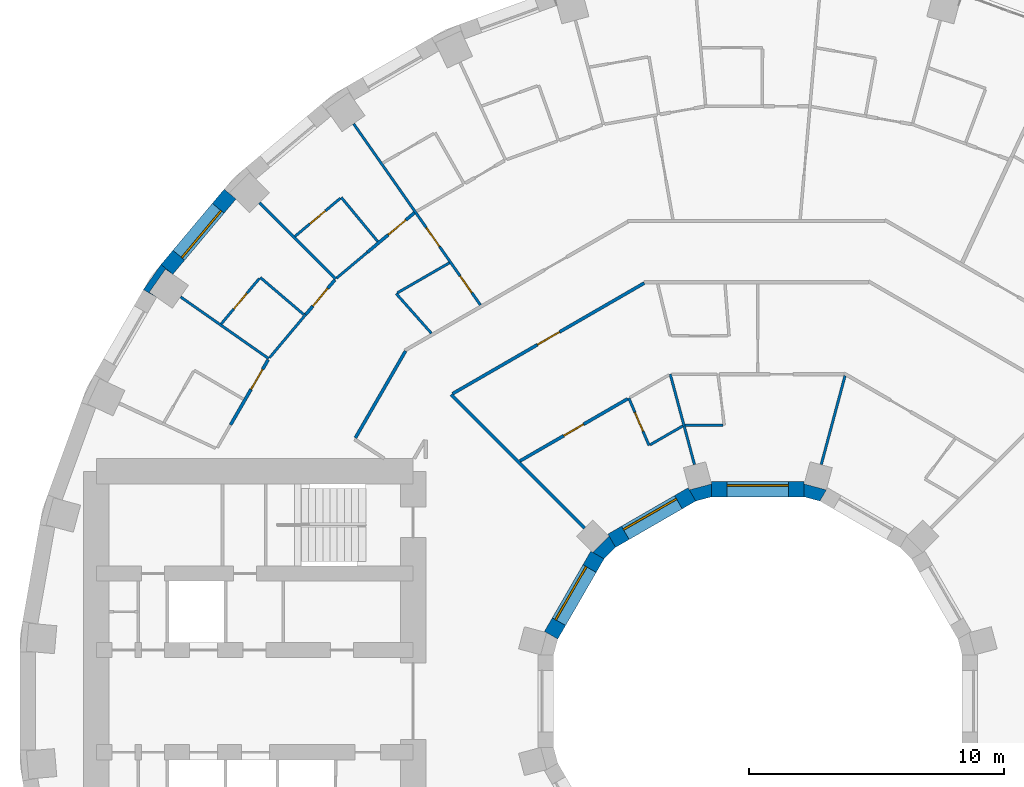
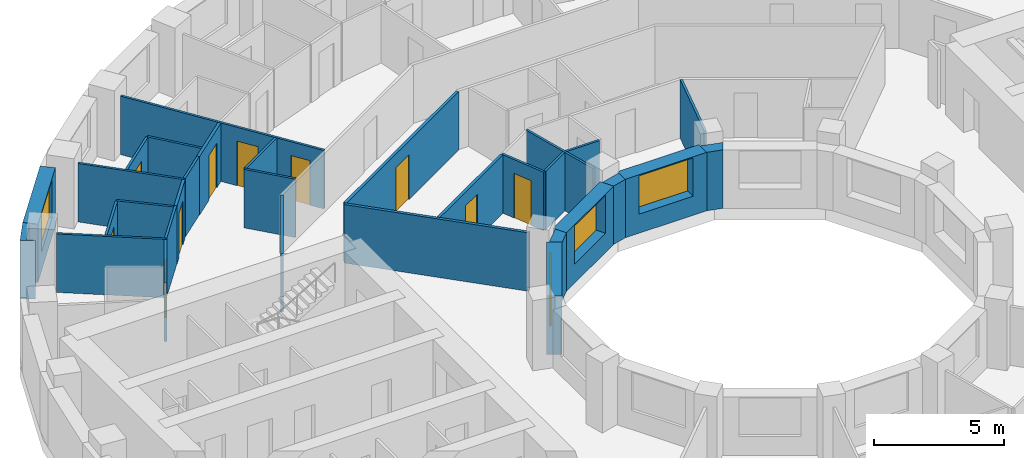
# One storey, part 10 of 15: 31 walls, 10 doors, 4 windows, 14 openings.
"""IFC4 building model written with IfcOpenShell, lengths in metres."""

from ifc_helpers import new_model, si_unit, direction, frame, frame_2d, origin, place, context, subcontext, project, spatial, polyline, rectangle, outline, extrude, material, layer, layer_set, type_object, element, fill, save


model = new_model("IFC4")

# Units and contexts
model_context = context("Model", 3, precision=1e-05, world=origin(), true_north=direction((0.0, 1.0)))
body_context = subcontext(model_context, "Body", "Model", "MODEL_VIEW")
ifc_project = project(units=[si_unit("LENGTHUNIT", "METRE"), si_unit("AREAUNIT", "SQUARE_METRE"), si_unit("VOLUMEUNIT", "CUBIC_METRE"), si_unit("PLANEANGLEUNIT", "RADIAN"), si_unit("MASSUNIT", "GRAM", prefix="KILO")], contexts=[model_context])

# Site, building, storey
site_placement = place(None, origin())
site = spatial("IfcSite", under=ifc_project, at=site_placement, CompositionType="ELEMENT")
building_placement = place(site_placement, origin())
building = spatial("IfcBuilding", under=site, at=building_placement, Name="Saqina Gate Tower", CompositionType="ELEMENT")
storey_placement = place(building_placement, frame((0.0, 0.0, 65.89990234375)))
storey = spatial("IfcBuildingStorey", under=building, at=storey_placement, Name="L18", CompositionType="ELEMENT", Elevation=65.89990234375)

# Wall
ifc_material_1 = material(Name="Brick masonry (red)", Category="masonry")
wall_type_1 = type_object("IfcWallType", Name="BRICK PIER COPING RED", PredefinedType="SOLIDWALL", material=ifc_material_1)
wall_1_placement = place(storey_placement, origin())
element("IfcWall", 1, at=wall_1_placement, inside=storey, type_object=wall_type_1, Name="Pier cap L18 column 15", PredefinedType="SOLIDWALL", context=body_context, shape_type="SweptSolid", body=[
    extrude(outline(polyline([(-23.36669921875, 17.096923828125), (-24.0576171875, 16.110107421875), (-23.5380859375, 15.81005859375), (-23.8251953125, 16.010986328125), (-23.194091796875, 16.912109375), (-22.9072265625, 16.711181640625), (-23.36669921875, 17.096923828125)])), origin(), (0.0, 0.0, 1.0), 2.75),
])

# Wall, opening, window
ifc_material_2 = material(Name="Brick masonry (red)", Category="masonry")
ifc_layer_1 = layer(ifc_material_2, 0.60009765625)
ifc_layer_set_1 = layer_set([ifc_layer_1], Name="FW-BRICK-RED")
wall_type_2 = type_object("IfcWallType", Name="FW-BRICK-RED", PredefinedType="SOLIDWALL", material=ifc_layer_set_1)
wall_2_placement = place(storey_placement, frame((-20.664794921875, 19.85009765625, 0.0), z_axis=(0.0, 0.0, 1.0), x_axis=(-0.642809392687, -0.766026164483, 0.0)))
wall_2 = element("IfcWall", 2, at=wall_2_placement, inside=storey, type_object=wall_type_2, Name="Facade wall L18 facet 14", PredefinedType="SOLIDWALL", context=body_context, shape_type="SweptSolid", body=[
    extrude(rectangle(XDim=3.845947265625, YDim=0.60009765625, at=frame_2d((1.9228515625, 0.0))), origin(), (0.0, 0.0, 1.0), 2.75),
])
opening_1_placement = place(wall_2_placement, frame((0.722900390625, 0.0, 0.89990234375)))
opening_1 = element("IfcOpeningElement", 3, at=opening_1_placement, cuts=wall_2, Name="Opening G05-W08", PredefinedType="OPENING", context=body_context, shape_type="SweptSolid", body=[
    extrude(rectangle(XDim=2.39990234375, YDim=1.800048828125, at=frame_2d((1.199951171875, 0.89990234375))), frame((0.0, 0.31201171875, 0.0), z_axis=(0.0, -1.0, 0.0), x_axis=(1.0, 0.0, 0.0)), (0.0, 0.0, 1.0), 0.6240234375),
])
ifc_material_3 = material(Name="Aluminium glazing", Category="aluminium")
window_type_1 = type_object("IfcWindowType", Name="WN-A", PartitioningType="SINGLE_PANEL", PredefinedType="WINDOW", material=ifc_material_3)
window_1_placement = place(opening_1_placement, origin())
window_1 = element("IfcWindow", 4, at=window_1_placement, inside=storey, type_object=window_type_1, Name="Window L18 facet 14", OverallHeight=1.800048828125, OverallWidth=2.39990234375, PartitioningType="SINGLE_PANEL", PredefinedType="WINDOW", context=body_context, shape_type="SweptSolid", body=[
    extrude(rectangle(XDim=2.39990234375, YDim=1.800048828125, at=frame_2d((1.199951171875, 0.89990234375))), frame((0.0, 0.179931640625, 0.0), z_axis=(0.0, -1.0, 0.0), x_axis=(1.0, 0.0, 0.0)), (0.0, 0.0, 1.0), 0.06005859375),
])
fill(opening_1, window_1)

ifc_material_4 = material(Name="Glazed ceramic tile", Category="ceramic")
ifc_layer_2 = layer(ifc_material_4, 0.60009765625)
ifc_layer_set_2 = layer_set([ifc_layer_2], Name="IW-TILE")
wall_type_3 = type_object("IfcWallType", Name="IW-TILE", PredefinedType="SOLIDWALL", material=ifc_layer_set_2)
wall_3_placement = place(storey_placement, frame((1.8125, 8.300048828125, 0.0), z_axis=(0.0, 0.0, 1.0), x_axis=(-1.0, 0.0, 0.0)))
wall_3 = element("IfcWall", 5, at=wall_3_placement, inside=storey, type_object=wall_type_3, Name="Well wall L18 facet 3", PredefinedType="SOLIDWALL", context=body_context, shape_type="SweptSolid", body=[
    extrude(rectangle(XDim=3.625, YDim=0.60009765625, at=frame_2d((1.8125, 0.0))), origin(), (0.0, 0.0, 1.0), 2.75),
])
opening_2_placement = place(wall_3_placement, frame((0.612548828125, 0.0, 0.89990234375)))
opening_2 = element("IfcOpeningElement", 6, at=opening_2_placement, cuts=wall_3, Name="Opening G05-W25", PredefinedType="OPENING", context=body_context, shape_type="SweptSolid", body=[
    extrude(rectangle(XDim=2.39990234375, YDim=1.800048828125, at=frame_2d((1.199951171875, 0.89990234375))), frame((0.0, 0.31201171875, 0.0), z_axis=(0.0, -1.0, 0.0), x_axis=(1.0, 0.0, 0.0)), (0.0, 0.0, 1.0), 0.6240234375),
])
ifc_material_5 = material(Name="Aluminium glazing", Category="aluminium")
window_type_2 = type_object("IfcWindowType", Name="WN-W", PartitioningType="SINGLE_PANEL", PredefinedType="WINDOW", material=ifc_material_5)
window_2_placement = place(opening_2_placement, origin())
window_2 = element("IfcWindow", 7, at=window_2_placement, inside=storey, type_object=window_type_2, Name="Well window L18 facet 3", OverallHeight=1.800048828125, OverallWidth=2.39990234375, PartitioningType="SINGLE_PANEL", PredefinedType="WINDOW", context=body_context, shape_type="SweptSolid", body=[
    extrude(rectangle(XDim=2.39990234375, YDim=1.800048828125, at=frame_2d((1.199951171875, 0.89990234375))), frame((0.0, -0.119873046875, 0.0), z_axis=(0.0, -1.0, 0.0), x_axis=(1.0, 0.0, 0.0)), (0.0, 0.0, 1.0), 0.06005859375),
])
fill(opening_2, window_2)

wall_4_placement = place(storey_placement, frame((-2.580322265625, 8.09423828125, 0.0), z_axis=(0.0, 0.0, 1.0), x_axis=(-0.866029693906, -0.499992569217, 0.0)))
wall_4 = element("IfcWall", 8, at=wall_4_placement, inside=storey, type_object=wall_type_3, Name="Well wall L18 facet 4", PredefinedType="SOLIDWALL", context=body_context, shape_type="SweptSolid", body=[
    extrude(rectangle(XDim=3.625, YDim=0.60009765625, at=frame_2d((1.8125, 0.0))), origin(), (0.0, 0.0, 1.0), 2.75),
])
opening_3_placement = place(wall_4_placement, frame((0.612548828125, 0.0, 0.89990234375)))
opening_3 = element("IfcOpeningElement", 9, at=opening_3_placement, cuts=wall_4, Name="Opening G05-W26", PredefinedType="OPENING", context=body_context, shape_type="SweptSolid", body=[
    extrude(rectangle(XDim=2.39990234375, YDim=1.800048828125, at=frame_2d((1.199951171875, 0.89990234375))), frame((0.0, 0.31201171875, 0.0), z_axis=(0.0, -1.0, 0.0), x_axis=(1.0, 0.0, 0.0)), (0.0, 0.0, 1.0), 0.6240234375),
])
window_3_placement = place(opening_3_placement, origin())
window_3 = element("IfcWindow", 10, at=window_3_placement, inside=storey, type_object=window_type_2, Name="Well window L18 facet 4", OverallHeight=1.800048828125, OverallWidth=2.39990234375, PartitioningType="SINGLE_PANEL", PredefinedType="WINDOW", context=body_context, shape_type="SweptSolid", body=[
    extrude(rectangle(XDim=2.39990234375, YDim=1.800048828125, at=frame_2d((1.199951171875, 0.89990234375))), frame((0.0, -0.119873046875, 0.0), z_axis=(0.0, -1.0, 0.0), x_axis=(1.0, 0.0, 0.0)), (0.0, 0.0, 1.0), 0.06005859375),
])
fill(opening_3, window_3)

wall_5_placement = place(storey_placement, frame((-6.28173828125, 5.7197265625, 0.0), z_axis=(0.0, 0.0, 1.0), x_axis=(-0.499992569217, -0.866029693906, 0.0)))
wall_5 = element("IfcWall", 11, at=wall_5_placement, inside=storey, type_object=wall_type_3, Name="Well wall L18 facet 5", PredefinedType="SOLIDWALL", context=body_context, shape_type="SweptSolid", body=[
    extrude(rectangle(XDim=3.625, YDim=0.60009765625, at=frame_2d((1.8125, 0.0))), origin(), (0.0, 0.0, 1.0), 2.75),
])
opening_4_placement = place(wall_5_placement, frame((0.612548828125, 0.0, 0.89990234375)))
opening_4 = element("IfcOpeningElement", 12, at=opening_4_placement, cuts=wall_5, Name="Opening G05-W27", PredefinedType="OPENING", context=body_context, shape_type="SweptSolid", body=[
    extrude(rectangle(XDim=2.39990234375, YDim=1.800048828125, at=frame_2d((1.199951171875, 0.89990234375))), frame((0.0, 0.31201171875, 0.0), z_axis=(0.0, -1.0, 0.0), x_axis=(1.0, 0.0, 0.0)), (0.0, 0.0, 1.0), 0.6240234375),
])
window_4_placement = place(opening_4_placement, origin())
window_4 = element("IfcWindow", 13, at=window_4_placement, inside=storey, type_object=window_type_2, Name="Well window L18 facet 5", OverallHeight=1.800048828125, OverallWidth=2.39990234375, PartitioningType="SINGLE_PANEL", PredefinedType="WINDOW", context=body_context, shape_type="SweptSolid", body=[
    extrude(rectangle(XDim=2.39990234375, YDim=1.800048828125, at=frame_2d((1.199951171875, 0.89990234375))), frame((0.0, -0.119873046875, 0.0), z_axis=(0.0, -1.0, 0.0), x_axis=(1.0, 0.0, 0.0)), (0.0, 0.0, 1.0), 0.06005859375),
])
fill(opening_4, window_4)

# Wall
ifc_material_6 = material(Name="Gypsum board on steel studs, 100 mm", Category="steel")
ifc_layer_3 = layer(ifc_material_6, 0.10009765625)
ifc_layer_set_3 = layer_set([ifc_layer_3], Name="PARTITION 100")
wall_type_4 = type_object("IfcWallType", Name="PARTITION 100", PredefinedType="PARTITIONING", material=ifc_layer_set_3)
wall_6_placement = place(storey_placement, frame((-3.429931640625, 12.800048828125, 0.0), z_axis=(0.0, 0.0, 1.0), x_axis=(0.258858359558, -0.965915291155, 0.0)))
element("IfcWall", 14, at=wall_6_placement, inside=storey, type_object=wall_type_4, Name="PARTITION PW3-13", PredefinedType="PARTITIONING", context=body_context, shape_type="SweptSolid", body=[
    extrude(rectangle(XDim=3.659423828125, YDim=0.10009765625, at=frame_2d((1.82958984375, 0.0))), origin(), (0.0, 0.0, 1.0), 2.75),
])

# Wall, opening, door
wall_7_placement = place(storey_placement, frame((-5.050048828125, 11.864013671875, 0.0), z_axis=(0.0, 0.0, 1.0), x_axis=(0.391782259177, -0.920057966323, 0.0)))
wall_7 = element("IfcWall", 15, at=wall_7_placement, inside=storey, type_object=wall_type_4, Name="PARTITION PW3-18", PredefinedType="PARTITIONING", context=body_context, shape_type="SweptSolid", body=[
    extrude(rectangle(XDim=2.013916015625, YDim=0.10009765625, at=frame_2d((1.0068359375, 0.0))), origin(), (0.0, 0.0, 1.0), 2.75),
])
opening_5_placement = place(wall_7_placement, frame((0.60693359375, 0.0, 0.0)))
opening_5 = element("IfcOpeningElement", 16, at=opening_5_placement, cuts=wall_7, Name="Opening G05-D22", PredefinedType="OPENING", context=body_context, shape_type="SweptSolid", body=[
    extrude(rectangle(XDim=0.800048828125, YDim=2.10009765625, at=frame_2d((0.39990234375, 1.050048828125))), frame((0.0, 0.06201171875, 0.0), z_axis=(0.0, -1.0, 0.0), x_axis=(1.0, 0.0, 0.0)), (0.0, 0.0, 1.0), 0.1240234375),
])
ifc_material_7 = material(Name="Timber door leaf, 800 mm", Category="wood")
door_type_1 = type_object("IfcDoorType", Name="DOOR 800 TIMBER", OperationType="SINGLE_SWING_LEFT", PredefinedType="DOOR", material=ifc_material_7)
door_1_placement = place(opening_5_placement, frame((0.800048828125, 0.0, 0.0), z_axis=(0.0, 0.0, 1.0), x_axis=(-1.0, 0.0, 0.0)))
door_1 = element("IfcDoor", 17, at=door_1_placement, inside=storey, type_object=door_type_1, Name="DOOR G05-D22", OperationType="SINGLE_SWING_RIGHT", OverallHeight=2.10009765625, OverallWidth=0.800048828125, PredefinedType="DOOR", context=body_context, shape_type="SweptSolid", body=[
    extrude(rectangle(XDim=0.800048828125, YDim=2.10009765625, at=frame_2d((0.39990234375, 1.050048828125))), frame((0.0, 0.02490234375, 0.0), z_axis=(0.0, -1.0, 0.0), x_axis=(1.0, 0.0, 0.0)), (0.0, 0.0, 1.0), 0.050048828125),
])
fill(opening_5, door_1)

# Wall, openings, doors
wall_8_placement = place(storey_placement, frame((-15.82470703125, 22.6005859375, 0.0), z_axis=(0.0, 0.0, 1.0), x_axis=(0.57339608395, -0.819278298816, 0.0)))
wall_8 = element("IfcWall", 18, at=wall_8_placement, inside=storey, type_object=wall_type_4, Name="PARTITION PW3-24", PredefinedType="PARTITIONING", context=body_context, shape_type="SweptSolid", body=[
    extrude(rectangle(XDim=8.6552734375, YDim=0.10009765625, at=frame_2d((4.32763671875, 0.0))), origin(), (0.0, 0.0, 1.0), 2.75),
])
opening_6_placement = place(wall_8_placement, frame((7.263671875, 0.0, 0.0)))
opening_6 = element("IfcOpeningElement", 19, at=opening_6_placement, cuts=wall_8, Name="Opening G05-D28", PredefinedType="OPENING", context=body_context, shape_type="SweptSolid", body=[
    extrude(rectangle(XDim=0.800048828125, YDim=2.10009765625, at=frame_2d((0.39990234375, 1.050048828125))), frame((0.0, 0.06201171875, 0.0), z_axis=(0.0, -1.0, 0.0), x_axis=(1.0, 0.0, 0.0)), (0.0, 0.0, 1.0), 0.1240234375),
])
opening_7_placement = place(wall_8_placement, frame((4.96044921875, 0.0, 0.0)))
opening_7 = element("IfcOpeningElement", 20, at=opening_7_placement, cuts=wall_8, Name="Opening G05-D29", PredefinedType="OPENING", context=body_context, shape_type="SweptSolid", body=[
    extrude(rectangle(XDim=0.89990234375, YDim=2.10009765625, at=frame_2d((0.449951171875, 1.050048828125))), frame((0.0, 0.06201171875, 0.0), z_axis=(0.0, -1.0, 0.0), x_axis=(1.0, 0.0, 0.0)), (0.0, 0.0, 1.0), 0.1240234375),
])
door_2_placement = place(opening_6_placement, origin())
door_2 = element("IfcDoor", 21, at=door_2_placement, inside=storey, type_object=door_type_1, Name="DOOR G05-D28", OperationType="SINGLE_SWING_RIGHT", OverallHeight=2.10009765625, OverallWidth=0.800048828125, PredefinedType="DOOR", context=body_context, shape_type="SweptSolid", body=[
    extrude(rectangle(XDim=0.800048828125, YDim=2.10009765625, at=frame_2d((0.39990234375, 1.050048828125))), frame((0.0, 0.02490234375, 0.0), z_axis=(0.0, -1.0, 0.0), x_axis=(1.0, 0.0, 0.0)), (0.0, 0.0, 1.0), 0.050048828125),
])
fill(opening_6, door_2)
ifc_material_8 = material(Name="Timber door leaf, 900 mm", Category="wood")
door_type_2 = type_object("IfcDoorType", Name="DOOR 900 TIMBER", OperationType="SINGLE_SWING_LEFT", PredefinedType="DOOR", material=ifc_material_8)
door_3_placement = place(opening_7_placement, frame((0.89990234375, 0.0, 0.0), z_axis=(0.0, 0.0, 1.0), x_axis=(-1.0, 0.0, 0.0)))
door_3 = element("IfcDoor", 22, at=door_3_placement, inside=storey, type_object=door_type_2, Name="DOOR G05-D29", OperationType="SINGLE_SWING_LEFT", OverallHeight=2.10009765625, OverallWidth=0.89990234375, PredefinedType="DOOR", context=body_context, shape_type="SweptSolid", body=[
    extrude(rectangle(XDim=0.89990234375, YDim=2.10009765625, at=frame_2d((0.449951171875, 1.050048828125))), frame((0.0, 0.02490234375, 0.0), z_axis=(0.0, -1.0, 0.0), x_axis=(1.0, 0.0, 0.0)), (0.0, 0.0, 1.0), 0.050048828125),
])
fill(opening_7, door_3)

# Walls
wall_9_placement = place(storey_placement, frame((-16.30810546875, 19.720947265625, 0.0), z_axis=(0.0, 0.0, 1.0), x_axis=(0.637464982276, -0.770479328971, 0.0)))
element("IfcWall", 23, at=wall_9_placement, inside=storey, type_object=wall_type_4, Name="PARTITION PW3-28", PredefinedType="PARTITIONING", context=body_context, shape_type="SweptSolid", body=[
    extrude(rectangle(XDim=2.2373046875, YDim=0.10009765625, at=frame_2d((1.11865234375, 0.0))), origin(), (0.0, 0.0, 1.0), 2.75),
])
wall_10_placement = place(storey_placement, frame((-14.162109375, 15.95703125, 0.0), z_axis=(0.0, 0.0, 1.0), x_axis=(0.663919519931, -0.747804032521, 0.0)))
element("IfcWall", 24, at=wall_10_placement, inside=storey, type_object=wall_type_4, Name="PARTITION PW3-30", PredefinedType="PARTITIONING", context=body_context, shape_type="SweptSolid", body=[
    extrude(rectangle(XDim=2.0810546875, YDim=0.10009765625, at=frame_2d((1.04052734375, 0.0))), origin(), (0.0, 0.0, 1.0), 2.75),
])
wall_11_placement = place(storey_placement, frame((-19.509033203125, 19.509033203125, 0.0), z_axis=(0.0, 0.0, 1.0), x_axis=(0.707106781187, -0.707106781187, 0.0)))
element("IfcWall", 25, at=wall_11_placement, inside=storey, type_object=wall_type_4, Name="PARTITION PW3-31", PredefinedType="PARTITIONING", context=body_context, shape_type="SweptSolid", body=[
    extrude(rectangle(XDim=4.211669921875, YDim=0.10009765625, at=frame_2d((2.10595703125, 0.0))), origin(), (0.0, 0.0, 1.0), 2.75),
])
wall_12_placement = place(storey_placement, frame((-19.48388671875, 16.590087890625, 0.0), z_axis=(0.0, 0.0, 1.0), x_axis=(0.761325032224, -0.648370415201, 0.0)))
element("IfcWall", 26, at=wall_12_placement, inside=storey, type_object=wall_type_4, Name="PARTITION PW3-34", PredefinedType="PARTITIONING", context=body_context, shape_type="SweptSolid", body=[
    extrude(rectangle(XDim=2.237060546875, YDim=0.10009765625, at=frame_2d((1.11865234375, 0.0))), origin(), (0.0, 0.0, 1.0), 2.75),
])
wall_13_placement = place(storey_placement, frame((-22.599853515625, 15.82568359375, 0.0), z_axis=(0.0, 0.0, 1.0), x_axis=(0.818956755678, -0.573855236388, 0.0)))
element("IfcWall", 27, at=wall_13_placement, inside=storey, type_object=wall_type_4, Name="PARTITION PW3-39", PredefinedType="PARTITIONING", context=body_context, shape_type="SweptSolid", body=[
    extrude(rectangle(XDim=4.21142578125, YDim=0.10009765625, at=frame_2d((2.105712890625, 0.0))), origin(), (0.0, 0.0, 1.0), 2.75),
])
wall_14_placement = place(storey_placement, frame((-2.843994140625, 10.800048828125, 0.0), z_axis=(0.0, 0.0, 1.0), x_axis=(1.0, 0.0, 0.0)))
element("IfcWall", 28, at=wall_14_placement, inside=storey, type_object=wall_type_4, Name="PARTITION PW3-62", PredefinedType="PARTITIONING", context=body_context, shape_type="SweptSolid", body=[
    extrude(rectangle(XDim=1.47900390625, YDim=0.10009765625, at=frame_2d((0.739501953125, 0.0))), origin(), (0.0, 0.0, 1.0), 2.75),
])
wall_15_placement = place(storey_placement, frame((-4.2177734375, 10.035888671875, 0.0), z_axis=(0.0, 0.0, 1.0), x_axis=(0.866111350081, 0.499851107092, 0.0)))
element("IfcWall", 29, at=wall_15_placement, inside=storey, type_object=wall_type_4, Name="PARTITION PW3-78", PredefinedType="PARTITIONING", context=body_context, shape_type="SweptSolid", body=[
    extrude(rectangle(XDim=1.478515625, YDim=0.10009765625, at=frame_2d((0.7392578125, 0.0))), origin(), (0.0, 0.0, 1.0), 2.75),
])
wall_16_placement = place(storey_placement, frame((-14.11865234375, 15.98193359375, 0.0), z_axis=(0.0, 0.0, 1.0), x_axis=(0.865945816379, 0.5001378241, 0.0)))
element("IfcWall", 30, at=wall_16_placement, inside=storey, type_object=wall_type_4, Name="PARTITION PW3-80", PredefinedType="PARTITIONING", context=body_context, shape_type="SweptSolid", body=[
    extrude(rectangle(XDim=2.357177734375, YDim=0.10009765625, at=frame_2d((1.1787109375, 0.0))), origin(), (0.0, 0.0, 1.0), 2.75),
])
wall_17_placement = place(storey_placement, frame((-16.49267578125, 16.563232421875, 0.0), z_axis=(0.0, 0.0, 1.0), x_axis=(0.765882590802, 0.642980448463, 0.0)))
element("IfcWall", 31, at=wall_17_placement, inside=storey, type_object=wall_type_4, Name="PARTITION PW3-85", PredefinedType="PARTITIONING", context=body_context, shape_type="SweptSolid", body=[
    extrude(rectangle(XDim=1.5693359375, YDim=0.10009765625, at=frame_2d((0.78466796875, 0.0))), origin(), (0.0, 0.0, 1.0), 2.75),
])

# Wall, opening, door
wall_18_placement = place(storey_placement, frame((-18.125732421875, 18.196044921875, 0.0), z_axis=(0.0, 0.0, 1.0), x_axis=(0.766106399864, 0.642713765286, 0.0)))
wall_18 = element("IfcWall", 32, at=wall_18_placement, inside=storey, type_object=wall_type_4, Name="PARTITION PW3-86", PredefinedType="PARTITIONING", context=body_context, shape_type="SweptSolid", body=[
    extrude(rectangle(XDim=2.32275390625, YDim=0.10009765625, at=frame_2d((1.161376953125, 0.0))), origin(), (0.0, 0.0, 1.0), 2.75),
])
opening_8_placement = place(wall_18_placement, frame((0.76123046875, 0.0, 0.0)))
opening_8 = element("IfcOpeningElement", 33, at=opening_8_placement, cuts=wall_18, Name="Opening G05-D31", PredefinedType="OPENING", context=body_context, shape_type="SweptSolid", body=[
    extrude(rectangle(XDim=0.800048828125, YDim=2.10009765625, at=frame_2d((0.39990234375, 1.050048828125))), frame((0.0, 0.06201171875, 0.0), z_axis=(0.0, -1.0, 0.0), x_axis=(1.0, 0.0, 0.0)), (0.0, 0.0, 1.0), 0.1240234375),
])
door_4_placement = place(opening_8_placement, origin())
door_4 = element("IfcDoor", 34, at=door_4_placement, inside=storey, type_object=door_type_1, Name="DOOR G05-D31", OperationType="SINGLE_SWING_RIGHT", OverallHeight=2.10009765625, OverallWidth=0.800048828125, PredefinedType="DOOR", context=body_context, shape_type="SweptSolid", body=[
    extrude(rectangle(XDim=0.800048828125, YDim=2.10009765625, at=frame_2d((0.39990234375, 1.050048828125))), frame((0.0, 0.02490234375, 0.0), z_axis=(0.0, -1.0, 0.0), x_axis=(1.0, 0.0, 0.0)), (0.0, 0.0, 1.0), 0.050048828125),
])
fill(opening_8, door_4)

# Wall
wall_19_placement = place(storey_placement, frame((-19.118896484375, 13.447265625, 0.0), z_axis=(0.0, 0.0, 1.0), x_axis=(0.642771526397, 0.766057938313, 0.0)))
element("IfcWall", 35, at=wall_19_placement, inside=storey, type_object=wall_type_4, Name="PARTITION PW3-91", PredefinedType="PARTITIONING", context=body_context, shape_type="SweptSolid", body=[
    extrude(rectangle(XDim=2.2060546875, YDim=0.10009765625, at=frame_2d((1.10302734375, 0.0))), origin(), (0.0, 0.0, 1.0), 2.75),
])

# Wall, opening, door
wall_20_placement = place(storey_placement, frame((-21.009765625, 14.772216796875, 0.0), z_axis=(0.0, 0.0, 1.0), x_axis=(0.642898772456, 0.765951152734, 0.0)))
wall_20 = element("IfcWall", 36, at=wall_20_placement, inside=storey, type_object=wall_type_4, Name="PARTITION PW3-92", PredefinedType="PARTITIONING", context=body_context, shape_type="SweptSolid", body=[
    extrude(rectangle(XDim=2.3232421875, YDim=0.10009765625, at=frame_2d((1.16162109375, 0.0))), origin(), (0.0, 0.0, 1.0), 2.75),
])
opening_9_placement = place(wall_20_placement, frame((0.76171875, 0.0, 0.0)))
opening_9 = element("IfcOpeningElement", 37, at=opening_9_placement, cuts=wall_20, Name="Opening G05-D33", PredefinedType="OPENING", context=body_context, shape_type="SweptSolid", body=[
    extrude(rectangle(XDim=0.800048828125, YDim=2.10009765625, at=frame_2d((0.39990234375, 1.050048828125))), frame((0.0, 0.06201171875, 0.0), z_axis=(0.0, -1.0, 0.0), x_axis=(1.0, 0.0, 0.0)), (0.0, 0.0, 1.0), 0.1240234375),
])
door_5_placement = place(opening_9_placement, origin())
door_5 = element("IfcDoor", 38, at=door_5_placement, inside=storey, type_object=door_type_1, Name="DOOR G05-D33", OperationType="SINGLE_SWING_LEFT", OverallHeight=2.10009765625, OverallWidth=0.800048828125, PredefinedType="DOOR", context=body_context, shape_type="SweptSolid", body=[
    extrude(rectangle(XDim=0.800048828125, YDim=2.10009765625, at=frame_2d((0.39990234375, 1.050048828125))), frame((0.0, 0.02490234375, 0.0), z_axis=(0.0, -1.0, 0.0), x_axis=(1.0, 0.0, 0.0)), (0.0, 0.0, 1.0), 0.050048828125),
])
fill(opening_9, door_5)

# Walls
wall_21_placement = place(storey_placement, frame((2.48291015625, 9.265380859375, 0.0), z_axis=(0.0, 0.0, 1.0), x_axis=(0.258807332054, 0.965928964715, 0.0)))
element("IfcWall", 39, at=wall_21_placement, inside=storey, type_object=wall_type_4, Name="PARTITION PW3-107", PredefinedType="PARTITIONING", context=body_context, shape_type="SweptSolid", body=[
    extrude(rectangle(XDim=3.596923828125, YDim=0.10009765625, at=frame_2d((1.79833984375, 0.0))), origin(), (0.0, 0.0, 1.0), 2.75),
])
ifc_material_9 = material(Name="Gypsum board on steel studs, 125 mm, fire rated", Category="steel")
ifc_layer_4 = layer(ifc_material_9, 0.125)
ifc_layer_set_4 = layer_set([ifc_layer_4], Name="PARTITION EI 30 125")
wall_type_5 = type_object("IfcWallType", Name="PARTITION EI 30 125", PredefinedType="PARTITIONING", material=ifc_layer_set_4)
wall_22_placement = place(storey_placement, frame((-12.006103515625, 12.006103515625, 0.0), z_axis=(0.0, 0.0, 1.0), x_axis=(0.707106781187, -0.707106781187, 0.0)))
element("IfcWall", 40, at=wall_22_placement, inside=storey, type_object=wall_type_5, Name="PARTITION PW1-05", PredefinedType="PARTITIONING", context=body_context, shape_type="SweptSolid", body=[
    extrude(rectangle(XDim=7.386962890625, YDim=0.125, at=frame_2d((3.693359375, 0.0))), origin(), (0.0, 0.0, 1.0), 2.75),
])

# Wall, opening, door
wall_23_placement = place(storey_placement, frame((-9.31591796875, 9.4013671875, 0.0), z_axis=(0.0, 0.0, 1.0), x_axis=(0.866043838253, 0.499968069204, 0.0)))
wall_23 = element("IfcWall", 41, at=wall_23_placement, inside=storey, type_object=wall_type_5, Name="PARTITION PW1-34", PredefinedType="PARTITIONING", context=body_context, shape_type="SweptSolid", body=[
    extrude(rectangle(XDim=4.875732421875, YDim=0.125, at=frame_2d((2.43798828125, 0.0))), origin(), (0.0, 0.0, 1.0), 2.75),
])
opening_10_placement = place(wall_23_placement, frame((1.981689453125, 0.0, 0.0)))
opening_10 = element("IfcOpeningElement", 42, at=opening_10_placement, cuts=wall_23, Name="Opening G05-D27", PredefinedType="OPENING", context=body_context, shape_type="SweptSolid", body=[
    extrude(rectangle(XDim=0.89990234375, YDim=2.10009765625, at=frame_2d((0.449951171875, 1.050048828125))), frame((0.0, 0.074462890625, 0.0), z_axis=(0.0, -1.0, 0.0), x_axis=(1.0, 0.0, 0.0)), (0.0, 0.0, 1.0), 0.14892578125),
])
ifc_material_10 = material(Name="Fire door leaf EI 30, 900 mm")
door_type_3 = type_object("IfcDoorType", Name="DOOR 900 EI 30", OperationType="SINGLE_SWING_LEFT", PredefinedType="DOOR", material=ifc_material_10)
door_6_placement = place(opening_10_placement, origin())
door_6 = element("IfcDoor", 43, at=door_6_placement, inside=storey, type_object=door_type_3, Name="DOOR G05-D27", OperationType="SINGLE_SWING_LEFT", OverallHeight=2.10009765625, OverallWidth=0.89990234375, PredefinedType="DOOR", context=body_context, shape_type="SweptSolid", body=[
    extrude(rectangle(XDim=0.89990234375, YDim=2.10009765625, at=frame_2d((0.449951171875, 1.050048828125))), frame((0.0, 0.02490234375, 0.0), z_axis=(0.0, -1.0, 0.0), x_axis=(1.0, 0.0, 0.0)), (0.0, 0.0, 1.0), 0.050048828125),
])
fill(opening_10, door_6)

wall_24_placement = place(storey_placement, frame((-11.951904296875, 12.037353515625, 0.0), z_axis=(0.0, 0.0, 1.0), x_axis=(0.866072505035, 0.499918409365, 0.0)))
wall_24 = element("IfcWall", 44, at=wall_24_placement, inside=storey, type_object=wall_type_5, Name="PARTITION PW1-35", PredefinedType="PARTITIONING", context=body_context, shape_type="SweptSolid", body=[
    extrude(rectangle(XDim=8.6640625, YDim=0.125, at=frame_2d((4.33203125, 0.0))), origin(), (0.0, 0.0, 1.0), 2.75),
])
opening_11_placement = place(wall_24_placement, frame((3.83203125, 0.0, 0.0)))
opening_11 = element("IfcOpeningElement", 45, at=opening_11_placement, cuts=wall_24, Name="Opening G05-D25", PredefinedType="OPENING", context=body_context, shape_type="SweptSolid", body=[
    extrude(rectangle(XDim=1.0, YDim=2.10009765625, at=frame_2d((0.5, 1.050048828125))), frame((0.0, 0.074462890625, 0.0), z_axis=(0.0, -1.0, 0.0), x_axis=(1.0, 0.0, 0.0)), (0.0, 0.0, 1.0), 0.14892578125),
])
ifc_material_11 = material(Name="Fire door leaf EI 30, 1000 mm")
door_type_4 = type_object("IfcDoorType", Name="DOOR 1000 EI 30", OperationType="SINGLE_SWING_LEFT", PredefinedType="DOOR", material=ifc_material_11)
door_7_placement = place(opening_11_placement, frame((1.0, 0.0, 0.0), z_axis=(0.0, 0.0, 1.0), x_axis=(-1.0, 0.0, 0.0)))
door_7 = element("IfcDoor", 46, at=door_7_placement, inside=storey, type_object=door_type_4, Name="DOOR G05-D25", OperationType="SINGLE_SWING_LEFT", OverallHeight=2.10009765625, OverallWidth=1.0, PredefinedType="DOOR", context=body_context, shape_type="SweptSolid", body=[
    extrude(rectangle(XDim=1.0, YDim=2.10009765625, at=frame_2d((0.5, 1.050048828125))), frame((0.0, 0.02490234375, 0.0), z_axis=(0.0, -1.0, 0.0), x_axis=(1.0, 0.0, 0.0)), (0.0, 0.0, 1.0), 0.050048828125),
])
fill(opening_11, door_7)

wall_25_placement = place(storey_placement, frame((-15.290771484375, 17.572265625, 0.0), z_axis=(0.0, 0.0, 1.0), x_axis=(0.766188320354, 0.642616104492, 0.0)))
wall_25 = element("IfcWall", 47, at=wall_25_placement, inside=storey, type_object=wall_type_5, Name="PARTITION PW1-41", PredefinedType="PARTITIONING", context=body_context, shape_type="SweptSolid", body=[
    extrude(rectangle(XDim=2.406494140625, YDim=0.125, at=frame_2d((1.203125, 0.0))), origin(), (0.0, 0.0, 1.0), 2.75),
])
opening_12_placement = place(wall_25_placement, frame((1.0712890625, 0.0, 0.0)))
opening_12 = element("IfcOpeningElement", 48, at=opening_12_placement, cuts=wall_25, Name="Opening G05-D30", PredefinedType="OPENING", context=body_context, shape_type="SweptSolid", body=[
    extrude(rectangle(XDim=0.89990234375, YDim=2.10009765625, at=frame_2d((0.449951171875, 1.050048828125))), frame((0.0, 0.074462890625, 0.0), z_axis=(0.0, -1.0, 0.0), x_axis=(1.0, 0.0, 0.0)), (0.0, 0.0, 1.0), 0.14892578125),
])
door_8_placement = place(opening_12_placement, origin())
door_8 = element("IfcDoor", 49, at=door_8_placement, inside=storey, type_object=door_type_3, Name="DOOR G05-D30", OperationType="SINGLE_SWING_RIGHT", OverallHeight=2.10009765625, OverallWidth=0.89990234375, PredefinedType="DOOR", context=body_context, shape_type="SweptSolid", body=[
    extrude(rectangle(XDim=0.89990234375, YDim=2.10009765625, at=frame_2d((0.449951171875, 1.050048828125))), frame((0.0, 0.02490234375, 0.0), z_axis=(0.0, -1.0, 0.0), x_axis=(1.0, 0.0, 0.0)), (0.0, 0.0, 1.0), 0.050048828125),
])
fill(opening_12, door_8)

wall_26_placement = place(storey_placement, frame((-17.700927734375, 15.13720703125, 0.0), z_axis=(0.0, 0.0, 1.0), x_axis=(0.642894375175, 0.765954843557, 0.0)))
wall_26 = element("IfcWall", 50, at=wall_26_placement, inside=storey, type_object=wall_type_5, Name="PARTITION PW1-45", PredefinedType="PARTITIONING", context=body_context, shape_type="SweptSolid", body=[
    extrude(rectangle(XDim=1.76953125, YDim=0.125, at=frame_2d((0.884765625, 0.0))), origin(), (0.0, 0.0, 1.0), 2.75),
])
opening_13_placement = place(wall_26_placement, frame((0.434814453125, 0.0, 0.0)))
opening_13 = element("IfcOpeningElement", 51, at=opening_13_placement, cuts=wall_26, Name="Opening G05-D32", PredefinedType="OPENING", context=body_context, shape_type="SweptSolid", body=[
    extrude(rectangle(XDim=0.89990234375, YDim=2.10009765625, at=frame_2d((0.449951171875, 1.050048828125))), frame((0.0, 0.074462890625, 0.0), z_axis=(0.0, -1.0, 0.0), x_axis=(1.0, 0.0, 0.0)), (0.0, 0.0, 1.0), 0.14892578125),
])
door_9_placement = place(opening_13_placement, frame((0.89990234375, 0.0, 0.0), z_axis=(0.0, 0.0, 1.0), x_axis=(-1.0, 0.0, 0.0)))
door_9 = element("IfcDoor", 52, at=door_9_placement, inside=storey, type_object=door_type_3, Name="DOOR G05-D32", OperationType="SINGLE_SWING_LEFT", OverallHeight=2.10009765625, OverallWidth=0.89990234375, PredefinedType="DOOR", context=body_context, shape_type="SweptSolid", body=[
    extrude(rectangle(XDim=0.89990234375, YDim=2.10009765625, at=frame_2d((0.449951171875, 1.050048828125))), frame((0.0, 0.02490234375, 0.0), z_axis=(0.0, -1.0, 0.0), x_axis=(1.0, 0.0, 0.0)), (0.0, 0.0, 1.0), 0.050048828125),
])
fill(opening_13, door_9)

# Wall
wall_27_placement = place(storey_placement, frame((-15.7578125, 10.30712890625, 0.0), z_axis=(0.0, 0.0, 1.0), x_axis=(0.499916150712, 0.866073808781, 0.0)))
element("IfcWall", 53, at=wall_27_placement, inside=storey, type_object=wall_type_5, Name="PARTITION PW1-50", PredefinedType="PARTITIONING", context=body_context, shape_type="SweptSolid", body=[
    extrude(rectangle(XDim=3.927978515625, YDim=0.125, at=frame_2d((1.9638671875, 0.0))), origin(), (0.0, 0.0, 1.0), 2.75),
])

# Wall, opening, door
wall_28_placement = place(storey_placement, frame((-20.64599609375, 10.818359375, 0.0), z_axis=(0.0, 0.0, 1.0), x_axis=(0.500129612544, 0.865950559014, 0.0)))
wall_28 = element("IfcWall", 54, at=wall_28_placement, inside=storey, type_object=wall_type_5, Name="PARTITION PW1-51", PredefinedType="PARTITIONING", context=body_context, shape_type="SweptSolid", body=[
    extrude(rectangle(XDim=2.941162109375, YDim=0.125, at=frame_2d((1.470703125, 0.0))), origin(), (0.0, 0.0, 1.0), 2.75),
])
opening_14_placement = place(wall_28_placement, frame((1.606201171875, 0.0, 0.0)))
opening_14 = element("IfcOpeningElement", 55, at=opening_14_placement, cuts=wall_28, Name="Opening G05-D34", PredefinedType="OPENING", context=body_context, shape_type="SweptSolid", body=[
    extrude(rectangle(XDim=0.89990234375, YDim=2.10009765625, at=frame_2d((0.449951171875, 1.050048828125))), frame((0.0, 0.074462890625, 0.0), z_axis=(0.0, -1.0, 0.0), x_axis=(1.0, 0.0, 0.0)), (0.0, 0.0, 1.0), 0.14892578125),
])
door_10_placement = place(opening_14_placement, frame((0.89990234375, 0.0, 0.0), z_axis=(0.0, 0.0, 1.0), x_axis=(-1.0, 0.0, 0.0)))
door_10 = element("IfcDoor", 56, at=door_10_placement, inside=storey, type_object=door_type_3, Name="DOOR G05-D34", OperationType="SINGLE_SWING_LEFT", OverallHeight=2.10009765625, OverallWidth=0.89990234375, PredefinedType="DOOR", context=body_context, shape_type="SweptSolid", body=[
    extrude(rectangle(XDim=0.89990234375, YDim=2.10009765625, at=frame_2d((0.449951171875, 1.050048828125))), frame((0.0, 0.02490234375, 0.0), z_axis=(0.0, -1.0, 0.0), x_axis=(1.0, 0.0, 0.0)), (0.0, 0.0, 1.0), 0.050048828125),
])
fill(opening_14, door_10)

# Walls
ifc_material_12 = material(Name="Glazed ceramic tile", Category="ceramic")
wall_type_6 = type_object("IfcWallType", Name="TILE PIER COPING", PredefinedType="SOLIDWALL", material=ifc_material_12)
wall_29_placement = place(storey_placement, origin())
element("IfcWall", 57, at=wall_29_placement, inside=storey, type_object=wall_type_6, Name="Well pier cap L18 column 3", PredefinedType="SOLIDWALL", context=body_context, shape_type="SweptSolid", body=[
    extrude(outline(polyline([(1.8125, 8.502685546875), (1.8125, 8.0), (2.430419921875, 7.83447265625), (2.681884765625, 8.27001953125), (1.8125, 8.502685546875)])), origin(), (0.0, 0.0, 1.0), 2.75),
])
wall_30_placement = place(storey_placement, origin())
element("IfcWall", 58, at=wall_30_placement, inside=storey, type_object=wall_type_6, Name="Well pier cap L18 column 4", PredefinedType="SOLIDWALL", context=body_context, shape_type="SweptSolid", body=[
    extrude(outline(polyline([(-2.681884765625, 8.27001953125), (-2.430419921875, 7.83447265625), (-1.8125, 8.0), (-1.8125, 8.502685546875), (-2.681884765625, 8.27001953125)])), origin(), (0.0, 0.0, 1.0), 2.75),
])
wall_31_placement = place(storey_placement, origin())
element("IfcWall", 59, at=wall_31_placement, inside=storey, type_object=wall_type_6, Name="Well pier cap L18 column 5", PredefinedType="SOLIDWALL", context=body_context, shape_type="SweptSolid", body=[
    extrude(outline(polyline([(-6.45751953125, 5.821044921875), (-6.02197265625, 5.569580078125), (-5.569580078125, 6.02197265625), (-5.821044921875, 6.45751953125), (-6.45751953125, 5.821044921875)])), origin(), (0.0, 0.0, 1.0), 2.75),
])

save(model, "model.ifc")
